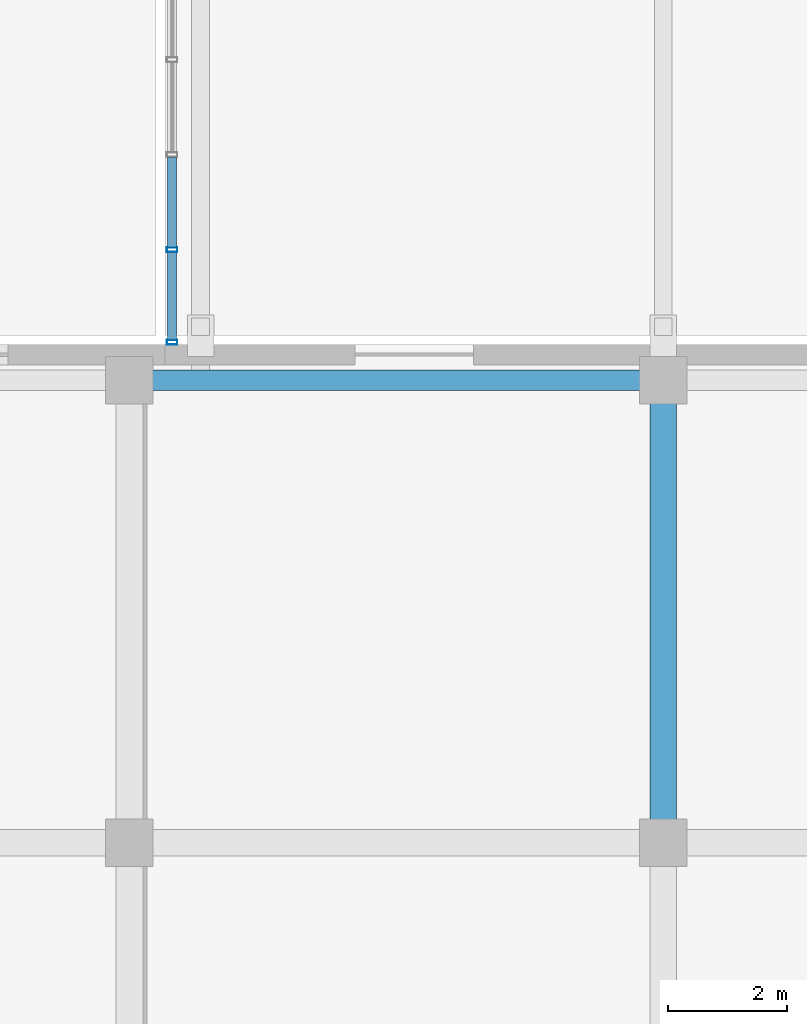
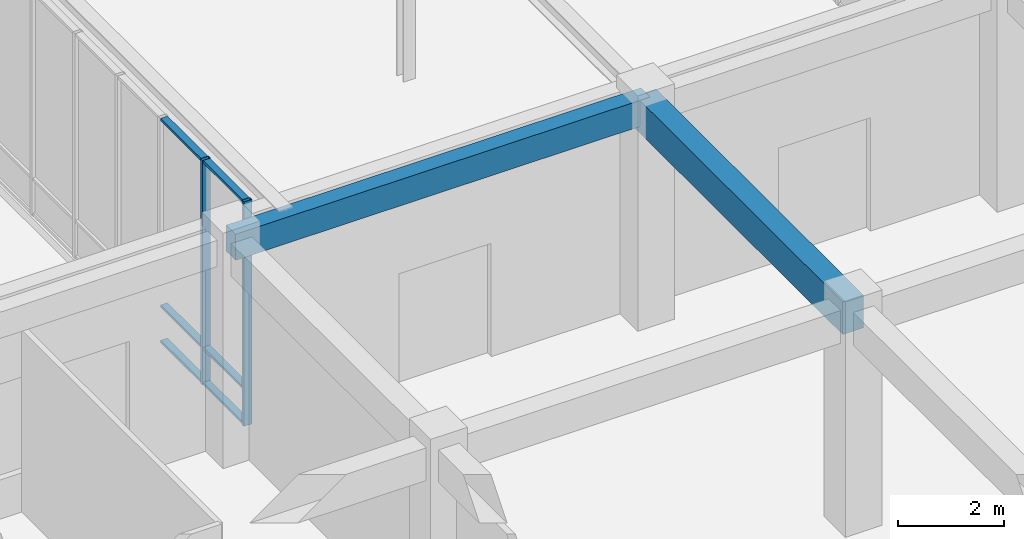
# One storey, part 14 of 122: 8 members, 2 beams, 1 element without a shape of its own.
"""IFC4 building model written with IfcOpenShell, lengths in metres."""

from ifc_helpers import new_model, si_unit, direction, frame, origin, origin_2d, place, context, subcontext, project, spatial, rectangle, hollow_rectangle, extrude, material, layer, layer_set, material_profile, profile_set, type_object, element, aggregate, save


model = new_model("IFC4")

# Units and contexts
model_context = context("Model", 3, precision=1e-05, world=origin(), true_north=direction((0.0, 1.0)))
body_context = subcontext(model_context, "Body", "Model", "MODEL_VIEW")
ifc_project = project(units=[si_unit("LENGTHUNIT", "METRE"), si_unit("AREAUNIT", "SQUARE_METRE"), si_unit("VOLUMEUNIT", "CUBIC_METRE"), si_unit("PLANEANGLEUNIT", "RADIAN"), si_unit("MASSUNIT", "GRAM", prefix="KILO")], contexts=[model_context])

# Site, building, storey
site_placement = place(None, origin())
site = spatial("IfcSite", under=ifc_project, at=site_placement, CompositionType="ELEMENT")
building_placement = place(site_placement, origin())
building = spatial("IfcBuilding", under=site, at=building_placement, Name="Zayran Congress Hotel", CompositionType="ELEMENT")
storey_placement = place(building_placement, origin())
storey = spatial("IfcBuildingStorey", under=building, at=storey_placement, Name="L00", CompositionType="ELEMENT", Elevation=0.0)

# Beams
ifc_material_1 = material(Name="Concrete C40/50", Category="concrete")
ifc_material_profile_1 = material_profile(ifc_material_1, rectangle(XDim=0.449951171875, YDim=0.75, at=origin_2d()), Name="RC 450x750")
ifc_profile_set_1 = profile_set([ifc_material_profile_1], Name="Concrete C40/50")
beam_type_1 = type_object("IfcBeamType", Name="TP-BM-02", PredefinedType="BEAM", material=ifc_profile_set_1)
beam_1_placement = place(storey_placement, frame((84.0, 25.60009765625, 4.72509765625), z_axis=(0.0, 1.0, 0.0), x_axis=(-1.0, 0.0, 0.0)))
element("IfcBeam", 1, at=beam_1_placement, inside=storey, type_object=beam_type_1, Name="BM-V5-L00-1671", PredefinedType="BEAM", context=body_context, shape_type="SweptSolid", body=[
    extrude(rectangle(XDim=0.449951171875, YDim=0.75, at=origin_2d()), origin(), (0.0, 0.0, 1.0), 7.7998046875),
])
ifc_material_profile_2 = material_profile(ifc_material_1, rectangle(XDim=0.35009765625, YDim=0.60009765625, at=origin_2d()), Name="RC 350x600")
ifc_profile_set_2 = profile_set([ifc_material_profile_2], Name="Concrete C40/50")
beam_type_2 = type_object("IfcBeamType", Name="TP-SP-01", PredefinedType="SPANDREL", material=ifc_profile_set_2)
beam_2_placement = place(storey_placement, frame((75.0, 33.39990234375, 4.800048828125), z_axis=(1.0, 0.0, 0.0), x_axis=(0.0, 1.0, 0.0)))
element("IfcBeam", 2, at=beam_2_placement, inside=storey, type_object=beam_type_2, Name="BM-V5-L00-1632", PredefinedType="SPANDREL", context=body_context, shape_type="SweptSolid", body=[
    extrude(rectangle(XDim=0.35009765625, YDim=0.60009765625, at=origin_2d()), origin(), (0.0, 0.0, 1.0), 9.0),
])

# Curtain wall, members
ifc_material_2 = material(Name="Anodised aluminium and low-E insulated glass", Category="aluminium")
ifc_layer = layer(ifc_material_2, 0.179931640625)
ifc_layer_set = layer_set([ifc_layer], Name="Anodised aluminium and low-E insulated glass")
curtain_wall_type = type_object("IfcCurtainWallType", Name="CW-BR2-L00-CW-BR2-11200-5150", PredefinedType="USERDEFINED", material=ifc_layer_set)
curtain_wall_placement = place(storey_placement, origin())
curtain_wall = element("IfcCurtainWall", 3, at=curtain_wall_placement, inside=storey, type_object=curtain_wall_type, Name="CW-BR2W-L00-0", ObjectType="CURTAIN WALL", PredefinedType="USERDEFINED")
ifc_material_3 = material(Name="Anodised aluminium framing", Category="aluminium")
ifc_material_profile_3 = material_profile(ifc_material_3, hollow_rectangle(XDim=0.080078125, YDim=0.179931640625, WallThickness=0.0048828125, at=origin_2d()), Name="RHS 180x80x5")
ifc_profile_set_3 = profile_set([ifc_material_profile_3], Name="Anodised aluminium framing")
member_type_1 = type_object("IfcMemberType", Name="TP-CWM-01", PredefinedType="MULLION", material=ifc_profile_set_3)
member_1_placement = place(storey_placement, frame((75.719970703125, 35.60009765625, 0.0), z_axis=(0.0, 0.0, 1.0), x_axis=(0.0, 1.0, 0.0)))
member_1 = element("IfcMember", 4, at=member_1_placement, type_object=member_type_1, Name="CW-BR2W-L00-0-M06", PredefinedType="MULLION", context=body_context, shape_type="SweptSolid", body=[
    extrude(hollow_rectangle(XDim=0.080078125, YDim=0.179931640625, WallThickness=0.0048828125, at=origin_2d()), origin(), (0.0, 0.0, 1.0), 5.14990234375),
])
member_2_placement = place(storey_placement, frame((75.719970703125, 34.0400390625, 0.0), z_axis=(0.0, 0.0, 1.0), x_axis=(0.0, 1.0, 0.0)))
member_2 = element("IfcMember", 5, at=member_2_placement, type_object=member_type_1, Name="CW-BR2W-L00-0-M07", PredefinedType="MULLION", context=body_context, shape_type="SweptSolid", body=[
    extrude(hollow_rectangle(XDim=0.080078125, YDim=0.179931640625, WallThickness=0.0048828125, at=origin_2d()), origin(), (0.0, 0.0, 1.0), 5.14990234375),
])
ifc_material_profile_4 = material_profile(ifc_material_3, hollow_rectangle(XDim=0.06005859375, YDim=0.14990234375, WallThickness=0.00390625, at=origin_2d()), Name="RHS 150x60x4")
ifc_profile_set_4 = profile_set([ifc_material_profile_4], Name="Anodised aluminium framing")
member_type_2 = type_object("IfcMemberType", Name="TP-CWT-01", PredefinedType="USERDEFINED", material=ifc_profile_set_4)
member_3_placement = place(storey_placement, frame((75.719970703125, 37.159912109375, 0.030029296875), z_axis=(0.0, -1.0, 0.0), x_axis=(0.0, 0.0, 1.0)))
member_3 = element("IfcMember", 6, at=member_3_placement, type_object=member_type_2, Name="CW-BR2W-L00-0-T05-0", ObjectType="TRANSOM", PredefinedType="USERDEFINED", context=body_context, shape_type="SweptSolid", body=[
    extrude(hollow_rectangle(XDim=0.06005859375, YDim=0.14990234375, WallThickness=0.00390625, at=origin_2d()), origin(), (0.0, 0.0, 1.0), 1.52001953125),
])
member_4_placement = place(storey_placement, frame((75.719970703125, 37.159912109375, 0.840087890625), z_axis=(0.0, -1.0, 0.0), x_axis=(0.0, 0.0, 1.0)))
member_4 = element("IfcMember", 7, at=member_4_placement, type_object=member_type_2, Name="CW-BR2W-L00-0-T05-1", ObjectType="TRANSOM", PredefinedType="USERDEFINED", context=body_context, shape_type="SweptSolid", body=[
    extrude(hollow_rectangle(XDim=0.06005859375, YDim=0.14990234375, WallThickness=0.00390625, at=origin_2d()), origin(), (0.0, 0.0, 1.0), 1.52001953125),
])
member_5_placement = place(storey_placement, frame((75.719970703125, 37.159912109375, 5.1201171875), z_axis=(0.0, -1.0, 0.0), x_axis=(0.0, 0.0, 1.0)))
member_5 = element("IfcMember", 8, at=member_5_placement, type_object=member_type_2, Name="CW-BR2W-L00-0-T05-2", ObjectType="TRANSOM", PredefinedType="USERDEFINED", context=body_context, shape_type="SweptSolid", body=[
    extrude(hollow_rectangle(XDim=0.06005859375, YDim=0.14990234375, WallThickness=0.00390625, at=origin_2d()), origin(), (0.0, 0.0, 1.0), 1.52001953125),
])
member_6_placement = place(storey_placement, frame((75.719970703125, 35.56005859375, 0.030029296875), z_axis=(0.0, -1.0, 0.0), x_axis=(0.0, 0.0, 1.0)))
member_6 = element("IfcMember", 9, at=member_6_placement, type_object=member_type_2, Name="CW-BR2W-L00-0-T06-0", ObjectType="TRANSOM", PredefinedType="USERDEFINED", context=body_context, shape_type="SweptSolid", body=[
    extrude(hollow_rectangle(XDim=0.06005859375, YDim=0.14990234375, WallThickness=0.00390625, at=origin_2d()), origin(), (0.0, 0.0, 1.0), 1.47998046875),
])
member_7_placement = place(storey_placement, frame((75.719970703125, 35.56005859375, 0.840087890625), z_axis=(0.0, -1.0, 0.0), x_axis=(0.0, 0.0, 1.0)))
member_7 = element("IfcMember", 10, at=member_7_placement, type_object=member_type_2, Name="CW-BR2W-L00-0-T06-1", ObjectType="TRANSOM", PredefinedType="USERDEFINED", context=body_context, shape_type="SweptSolid", body=[
    extrude(hollow_rectangle(XDim=0.06005859375, YDim=0.14990234375, WallThickness=0.00390625, at=origin_2d()), origin(), (0.0, 0.0, 1.0), 1.47998046875),
])
member_8_placement = place(storey_placement, frame((75.719970703125, 35.56005859375, 5.1201171875), z_axis=(0.0, -1.0, 0.0), x_axis=(0.0, 0.0, 1.0)))
member_8 = element("IfcMember", 11, at=member_8_placement, type_object=member_type_2, Name="CW-BR2W-L00-0-T06-2", ObjectType="TRANSOM", PredefinedType="USERDEFINED", context=body_context, shape_type="SweptSolid", body=[
    extrude(hollow_rectangle(XDim=0.06005859375, YDim=0.14990234375, WallThickness=0.00390625, at=origin_2d()), origin(), (0.0, 0.0, 1.0), 1.47998046875),
])
aggregate(curtain_wall, [member_1, member_2, member_3, member_4, member_5, member_6, member_7, member_8])

save(model, "model.ifc")
